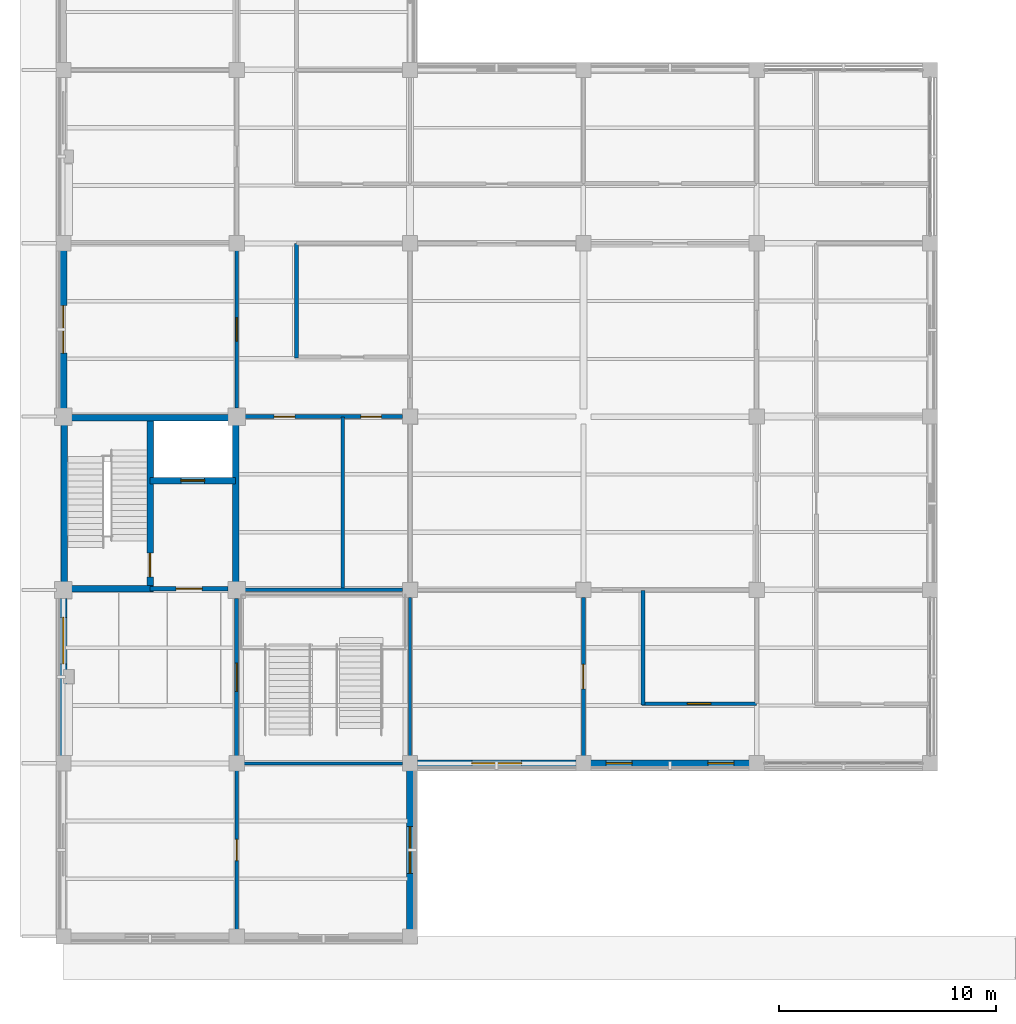
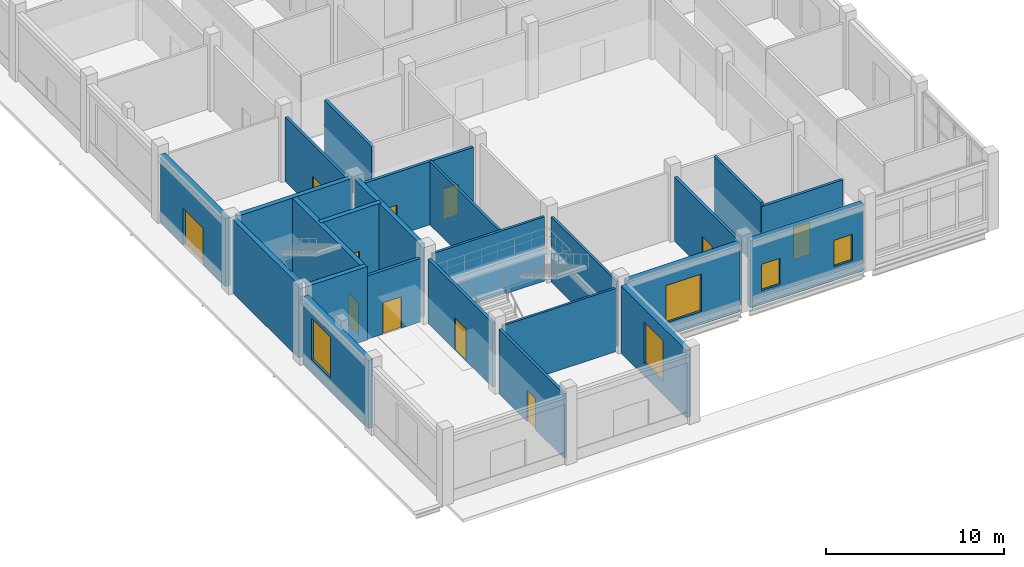
# One storey, part 59 of 105: 24 walls, 11 doors, 5 windows, 16 openings.
"""IFC4 building model written with IfcOpenShell, lengths in metres."""

from ifc_helpers import new_model, si_unit, derived_unit, direction, frame, frame_2d, origin, place, context, subcontext, project, spatial, rectangle, extrude, material, layer, layer_set, type_object, element, fill, save


model = new_model("IFC4")

# Units and contexts
model_context = context("Model", 3, precision=1e-05, world=origin(), true_north=direction((0.0, 1.0)))
body_context = subcontext(model_context, "Body", "Model", "MODEL_VIEW")
ifc_project = project(units=[si_unit("LENGTHUNIT", "METRE"), si_unit("AREAUNIT", "SQUARE_METRE"), si_unit("VOLUMEUNIT", "CUBIC_METRE"), si_unit("PLANEANGLEUNIT", "RADIAN"), si_unit("MASSUNIT", "GRAM", prefix="KILO"), derived_unit("THERMALTRANSMITTANCEUNIT", [(si_unit("MASSUNIT", "GRAM", prefix="KILO"), 1), (si_unit("TIMEUNIT", "SECOND"), -3), (si_unit("THERMODYNAMICTEMPERATUREUNIT", "KELVIN"), -1)])], contexts=[model_context])

# Site, building, storey
site_placement = place(None, origin())
site = spatial("IfcSite", under=ifc_project, at=site_placement, CompositionType="ELEMENT")
building_placement = place(site_placement, origin())
building = spatial("IfcBuilding", under=site, at=building_placement, Name="Veyamyaing Civic Hall", CompositionType="ELEMENT")
storey_placement = place(building_placement, origin())
storey = spatial("IfcBuildingStorey", under=building, at=storey_placement, Name="L00", CompositionType="ELEMENT", Elevation=0.0)

# Wall, opening, window
ifc_material_1 = material(Name="Precast concrete C40/50", Category="concrete")
ifc_layer_1 = layer(ifc_material_1, 0.320068359375, Name="Precast concrete C40/50")
ifc_layer_set_1 = layer_set([ifc_layer_1], Name="Precast concrete C40/50")
wall_type_1 = type_object("IfcWallType", Name="WT-02", PredefinedType="SOLIDWALL", material=ifc_layer_set_1)
wall_1_placement = place(storey_placement, frame((0.0, 8.3349609375, 0.0), z_axis=(0.0, 0.0, 1.0), x_axis=(0.0, 1.0, 0.0)))
wall_1 = element("IfcWall", 1, at=wall_1_placement, inside=storey, type_object=wall_type_1, Name="Exterior facade wall WT-02 L00 W 1.2", PredefinedType="SOLIDWALL", context=body_context, shape_type="SweptSolid", body=[
    extrude(rectangle(XDim=7.280029296875, YDim=0.320068359375, at=frame_2d((3.64013671875, 0.0))), origin(), (0.0, 0.0, 1.0), 4.674072265625),
])
opening_1_placement = place(wall_1_placement, frame((4.25, 0.0, 0.89990234375)))
opening_1 = element("IfcOpeningElement", 2, at=opening_1_placement, cuts=wall_1, Name="Opening W-02", PredefinedType="OPENING", context=body_context, shape_type="SweptSolid", body=[
    extrude(rectangle(XDim=2.14990234375, YDim=2.800048828125, at=frame_2d((1.074951171875, 1.39990234375))), frame((0.0, 0.169921875, 0.0), z_axis=(0.0, -1.0, 0.0), x_axis=(1.0, 0.0, 0.0)), (0.0, 0.0, 1.0), 0.340087890625),
])
ifc_material_2 = material(Name="Low-E insulated glass", Category="glass")
window_type_1 = type_object("IfcWindowType", Name="W-02", PartitioningType="SINGLE_PANEL", PredefinedType="WINDOW", material=ifc_material_2)
window_1_placement = place(opening_1_placement, origin())
window_1 = element("IfcWindow", 3, at=window_1_placement, inside=storey, type_object=window_type_1, Name="Facade window W-02 L00 W 1.2", OverallHeight=2.800048828125, OverallWidth=2.14990234375, PartitioningType="SINGLE_PANEL", PredefinedType="WINDOW", context=body_context, shape_type="SweptSolid", body=[
    extrude(rectangle(XDim=2.14990234375, YDim=2.800048828125, at=frame_2d((1.074951171875, 1.39990234375))), frame((0.0, 0.030029296875, 0.0), z_axis=(0.0, -1.0, 0.0), x_axis=(1.0, 0.0, 0.0)), (0.0, 0.0, 1.0), 0.06005859375),
])
fill(opening_1, window_1)

# Wall, opening, door
wall_2_placement = place(storey_placement, frame((0.0, 24.385009765625, 0.0), z_axis=(0.0, 0.0, 1.0), x_axis=(0.0, 1.0, 0.0)))
wall_2 = element("IfcWall", 4, at=wall_2_placement, inside=storey, type_object=wall_type_1, Name="Exterior facade wall WT-02 L00 W 1.4", PredefinedType="SOLIDWALL", context=body_context, shape_type="SweptSolid", body=[
    extrude(rectangle(XDim=7.280029296875, YDim=0.320068359375, at=frame_2d((3.64013671875, 0.0))), origin(), (0.0, 0.0, 1.0), 4.677001953125),
])
opening_2_placement = place(wall_2_placement, frame((2.5400390625, 0.0, 0.0)))
opening_2 = element("IfcOpeningElement", 5, at=opening_2_placement, cuts=wall_2, Name="Opening D-01", PredefinedType="OPENING", context=body_context, shape_type="SweptSolid", body=[
    extrude(rectangle(XDim=2.199951171875, YDim=2.5, at=frame_2d((1.10009765625, 1.25))), frame((0.0, 0.169921875, 0.0), z_axis=(0.0, -1.0, 0.0), x_axis=(1.0, 0.0, 0.0)), (0.0, 0.0, 1.0), 0.340087890625),
])
ifc_material_3 = material(Name="Anodised aluminium 6063-T6", Category="aluminium")
door_type_1 = type_object("IfcDoorType", Name="D-01", OperationType="DOUBLE_DOOR_SINGLE_SWING", PredefinedType="DOOR", material=ifc_material_3)
door_1_placement = place(opening_2_placement, origin())
door_1 = element("IfcDoor", 6, at=door_1_placement, inside=storey, type_object=door_type_1, Name="Main pedestrian final exit EX-02", OperationType="DOUBLE_DOOR_SINGLE_SWING", OverallHeight=2.5, OverallWidth=2.199951171875, PredefinedType="DOOR", context=body_context, shape_type="SweptSolid", body=[
    extrude(rectangle(XDim=2.199951171875, YDim=2.5, at=frame_2d((1.10009765625, 1.25))), frame((0.0, 0.02490234375, 0.0), z_axis=(0.0, -1.0, 0.0), x_axis=(1.0, 0.0, 0.0)), (0.0, 0.0, 1.0), 0.050048828125),
])
fill(opening_2, door_1)

# Wall, opening, window
wall_3_placement = place(storey_placement, frame((16.0, 0.3349609375, 0.0), z_axis=(0.0, 0.0, 1.0), x_axis=(0.0, 1.0, 0.0)))
wall_3 = element("IfcWall", 7, at=wall_3_placement, inside=storey, type_object=wall_type_1, Name="Exterior facade wall WT-02 L00 E 2.1", PredefinedType="SOLIDWALL", context=body_context, shape_type="SweptSolid", body=[
    extrude(rectangle(XDim=7.330078125, YDim=0.320068359375, at=frame_2d((3.6650390625, 0.0))), origin(), (0.0, 0.0, 1.0), 4.614013671875),
])
opening_3_placement = place(wall_3_placement, frame((2.590087890625, 0.0, 0.89990234375)))
opening_3 = element("IfcOpeningElement", 8, at=opening_3_placement, cuts=wall_3, Name="Opening W-02", PredefinedType="OPENING", context=body_context, shape_type="SweptSolid", body=[
    extrude(rectangle(XDim=2.14990234375, YDim=2.800048828125, at=frame_2d((1.074951171875, 1.39990234375))), frame((0.0, 0.169921875, 0.0), z_axis=(0.0, -1.0, 0.0), x_axis=(1.0, 0.0, 0.0)), (0.0, 0.0, 1.0), 0.340087890625),
])
window_2_placement = place(opening_3_placement, origin())
window_2 = element("IfcWindow", 9, at=window_2_placement, inside=storey, type_object=window_type_1, Name="Facade window W-02 L00 E 2.1", OverallHeight=2.800048828125, OverallWidth=2.14990234375, PartitioningType="SINGLE_PANEL", PredefinedType="WINDOW", context=body_context, shape_type="SweptSolid", body=[
    extrude(rectangle(XDim=2.14990234375, YDim=2.800048828125, at=frame_2d((1.074951171875, 1.39990234375))), frame((0.0, 0.030029296875, 0.0), z_axis=(0.0, -1.0, 0.0), x_axis=(1.0, 0.0, 0.0)), (0.0, 0.0, 1.0), 0.06005859375),
])
fill(opening_3, window_2)

wall_4_placement = place(storey_placement, frame((16.3349609375, 8.0, 0.0), z_axis=(0.0, 0.0, 1.0), x_axis=(1.0, 0.0, 0.0)))
wall_4 = element("IfcWall", 10, at=wall_4_placement, inside=storey, type_object=wall_type_1, Name="Exterior facade wall WT-02 L00 S 3.2", PredefinedType="SOLIDWALL", context=body_context, shape_type="SweptSolid", body=[
    extrude(rectangle(XDim=7.330078125, YDim=0.320068359375, at=frame_2d((3.6650390625, 0.0))), origin(), (0.0, 0.0, 1.0), 4.677001953125),
])
opening_4_placement = place(wall_4_placement, frame((2.514892578125, 0.0, 0.89990234375)))
opening_4 = element("IfcOpeningElement", 11, at=opening_4_placement, cuts=wall_4, Name="Opening W-25", PredefinedType="OPENING", context=body_context, shape_type="SweptSolid", body=[
    extrude(rectangle(XDim=2.300048828125, YDim=2.550048828125, at=frame_2d((1.14990234375, 1.27490234375))), frame((0.0, 0.169921875, 0.0), z_axis=(0.0, -1.0, 0.0), x_axis=(1.0, 0.0, 0.0)), (0.0, 0.0, 1.0), 0.340087890625),
])
window_type_2 = type_object("IfcWindowType", Name="W-25", PartitioningType="SINGLE_PANEL", PredefinedType="WINDOW", material=ifc_material_2)
window_3_placement = place(opening_4_placement, origin())
window_3 = element("IfcWindow", 12, at=window_3_placement, inside=storey, type_object=window_type_2, Name="Facade window W-25 L00 S 3.2", OverallHeight=2.550048828125, OverallWidth=2.300048828125, PartitioningType="SINGLE_PANEL", PredefinedType="WINDOW", context=body_context, shape_type="SweptSolid", body=[
    extrude(rectangle(XDim=2.300048828125, YDim=2.550048828125, at=frame_2d((1.14990234375, 1.27490234375))), frame((0.0, 0.030029296875, 0.0), z_axis=(0.0, -1.0, 0.0), x_axis=(1.0, 0.0, 0.0)), (0.0, 0.0, 1.0), 0.06005859375),
])
fill(opening_4, window_3)

# Wall, openings, windows
wall_5_placement = place(storey_placement, frame((24.3349609375, 8.0, 0.0), z_axis=(0.0, 0.0, 1.0), x_axis=(1.0, 0.0, 0.0)))
wall_5 = element("IfcWall", 13, at=wall_5_placement, inside=storey, type_object=wall_type_1, Name="Exterior facade wall WT-02 L00 S 4.2", PredefinedType="SOLIDWALL", context=body_context, shape_type="SweptSolid", body=[
    extrude(rectangle(XDim=7.330078125, YDim=0.320068359375, at=frame_2d((3.6650390625, 0.0))), origin(), (0.0, 0.0, 1.0), 4.610107421875),
])
opening_5_placement = place(wall_5_placement, frame((0.719482421875, 0.0, 0.949951171875)))
opening_5 = element("IfcOpeningElement", 14, at=opening_5_placement, cuts=wall_5, Name="Opening W-14", PredefinedType="OPENING", context=body_context, shape_type="SweptSolid", body=[
    extrude(rectangle(XDim=1.199951171875, YDim=1.800048828125, at=frame_2d((0.60009765625, 0.89990234375))), frame((0.0, 0.169921875, 0.0), z_axis=(0.0, -1.0, 0.0), x_axis=(1.0, 0.0, 0.0)), (0.0, 0.0, 1.0), 0.340087890625),
])
opening_6_placement = place(wall_5_placement, frame((5.41064453125, 0.0, 0.949951171875)))
opening_6 = element("IfcOpeningElement", 15, at=opening_6_placement, cuts=wall_5, Name="Opening W-14", PredefinedType="OPENING", context=body_context, shape_type="SweptSolid", body=[
    extrude(rectangle(XDim=1.199951171875, YDim=1.800048828125, at=frame_2d((0.60009765625, 0.89990234375))), frame((0.0, 0.169921875, 0.0), z_axis=(0.0, -1.0, 0.0), x_axis=(1.0, 0.0, 0.0)), (0.0, 0.0, 1.0), 0.340087890625),
])
window_type_3 = type_object("IfcWindowType", Name="W-14", PartitioningType="SINGLE_PANEL", PredefinedType="WINDOW", material=ifc_material_2)
window_4_placement = place(opening_5_placement, origin())
window_4 = element("IfcWindow", 16, at=window_4_placement, inside=storey, type_object=window_type_3, Name="Facade window W-14 L00 S 4.2.1", OverallHeight=1.800048828125, OverallWidth=1.199951171875, PartitioningType="SINGLE_PANEL", PredefinedType="WINDOW", context=body_context, shape_type="SweptSolid", body=[
    extrude(rectangle(XDim=1.199951171875, YDim=1.800048828125, at=frame_2d((0.60009765625, 0.89990234375))), frame((0.0, 0.030029296875, 0.0), z_axis=(0.0, -1.0, 0.0), x_axis=(1.0, 0.0, 0.0)), (0.0, 0.0, 1.0), 0.06005859375),
])
fill(opening_5, window_4)
window_5_placement = place(opening_6_placement, origin())
window_5 = element("IfcWindow", 17, at=window_5_placement, inside=storey, type_object=window_type_3, Name="Facade window W-14 L00 S 4.2.2", OverallHeight=1.800048828125, OverallWidth=1.199951171875, PartitioningType="SINGLE_PANEL", PredefinedType="WINDOW", context=body_context, shape_type="SweptSolid", body=[
    extrude(rectangle(XDim=1.199951171875, YDim=1.800048828125, at=frame_2d((0.60009765625, 0.89990234375))), frame((0.0, 0.030029296875, 0.0), z_axis=(0.0, -1.0, 0.0), x_axis=(1.0, 0.0, 0.0)), (0.0, 0.0, 1.0), 0.06005859375),
])
fill(opening_6, window_5)

# Walls
ifc_material_4 = material(Name="Concrete C40/50", Category="concrete")
ifc_layer_2 = layer(ifc_material_4, 0.300048828125, Name="Concrete C40/50")
ifc_layer_set_2 = layer_set([ifc_layer_2], Name="Concrete C40/50")
wall_type_2 = type_object("IfcWallType", Name="WT-05", PredefinedType="SHEAR", material=ifc_layer_set_2)
for number, where, z_axis, x_axis, name in (
    (18, (0.050048828125, 16.2900390625, 0.0), (0.0, 0.0, 1.0), (0.0, 1.0, 0.0), "Core shear wall WT-05 CORE-7 L00.W"),
    (19, (0.2900390625, 23.949951171875, 0.0), (0.0, 0.0, 1.0), (1.0, 0.0, 0.0), "Core shear wall WT-05 CORE-7 L00.N"),
    (20, (7.949951171875, 16.2900390625, 0.0), (0.0, 0.0, 1.0), (0.0, 1.0, 0.0), "Core shear wall WT-05 CORE-7 L00.E"),
):
    element("IfcWall", number, at=place(storey_placement, frame(where, z_axis=z_axis, x_axis=x_axis)), inside=storey, type_object=wall_type_2, Name=name, PredefinedType="SHEAR", context=body_context, shape_type="SweptSolid", body=[
        extrude(rectangle(XDim=7.419921875, YDim=0.300048828125, at=frame_2d((3.7099609375, 0.0))), origin(), (0.0, 0.0, 1.0), 5.034912109375),
    ])
wall_6_placement = place(storey_placement, frame((0.2900390625, 16.050048828125, 0.0), z_axis=(0.0, 0.0, 1.0), x_axis=(1.0, 0.0, 0.0)))
element("IfcWall", 21, at=wall_6_placement, inside=storey, type_object=wall_type_2, Name="Core shear wall WT-05 CORE-7 L00.SS", PredefinedType="SHEAR", context=body_context, shape_type="SweptSolid", body=[
    extrude(rectangle(XDim=3.85986328125, YDim=0.300048828125, at=frame_2d((1.929931640625, 0.0))), origin(), (0.0, 0.0, 1.0), 5.034912109375),
])

# Wall, opening, door
wall_7_placement = place(storey_placement, frame((4.0, 16.050048828125, 0.0), z_axis=(0.0, 0.0, 1.0), x_axis=(0.0, 1.0, 0.0)))
wall_7 = element("IfcWall", 22, at=wall_7_placement, inside=storey, type_object=wall_type_2, Name="Core shear wall WT-05 CORE-7 L00.MID", PredefinedType="SHEAR", context=body_context, shape_type="SweptSolid", body=[
    extrude(rectangle(XDim=7.89990234375, YDim=0.300048828125, at=frame_2d((3.949951171875, 0.0))), origin(), (0.0, 0.0, 1.0), 5.034912109375),
])
opening_7_placement = place(wall_7_placement, frame((0.550048828125, 0.0, 0.0)))
opening_7 = element("IfcOpeningElement", 23, at=opening_7_placement, cuts=wall_7, Name="Opening D-03", PredefinedType="OPENING", context=body_context, shape_type="SweptSolid", body=[
    extrude(rectangle(XDim=1.10009765625, YDim=2.14990234375, at=frame_2d((0.550048828125, 1.074951171875))), frame((0.0, 0.159912109375, 0.0), z_axis=(0.0, -1.0, 0.0), x_axis=(1.0, 0.0, 0.0)), (0.0, 0.0, 1.0), 0.320068359375),
])
ifc_material_5 = material(Name="Galvanized steel S355J2", Category="steel")
door_type_2 = type_object("IfcDoorType", Name="D-03", OperationType="NOTDEFINED", PredefinedType="DOOR", material=ifc_material_5)
door_2_placement = place(opening_7_placement, frame((1.10009765625, 0.0, 0.0), z_axis=(0.0, 0.0, 1.0), x_axis=(-1.0, 0.0, 0.0)))
door_2 = element("IfcDoor", 24, at=door_2_placement, inside=storey, type_object=door_type_2, Name="Exit stair fire door D-03 ST-09 L00", OperationType="SINGLE_SWING_RIGHT", OverallHeight=2.14990234375, OverallWidth=1.10009765625, PredefinedType="DOOR", context=body_context, shape_type="SweptSolid", body=[
    extrude(rectangle(XDim=1.10009765625, YDim=2.14990234375, at=frame_2d((0.550048828125, 1.074951171875))), frame((0.0, 0.02490234375, 0.0), z_axis=(0.0, -1.0, 0.0), x_axis=(1.0, 0.0, 0.0)), (0.0, 0.0, 1.0), 0.050048828125),
])
fill(opening_7, door_2)

wall_8_placement = place(storey_placement, frame((4.0, 21.050048828125, 0.0), z_axis=(0.0, 0.0, 1.0), x_axis=(1.0, 0.0, 0.0)))
wall_8 = element("IfcWall", 25, at=wall_8_placement, inside=storey, type_object=wall_type_2, Name="Core shear wall WT-05 CORE-7 L00.LFT", PredefinedType="SHEAR", context=body_context, shape_type="SweptSolid", body=[
    extrude(rectangle(XDim=3.949951171875, YDim=0.300048828125, at=frame_2d((1.97509765625, 0.0))), origin(), (0.0, 0.0, 1.0), 5.034912109375),
])
opening_8_placement = place(wall_8_placement, frame((1.425048828125, 0.0, 0.0)))
opening_8 = element("IfcOpeningElement", 26, at=opening_8_placement, cuts=wall_8, Name="Opening LD-01", PredefinedType="OPENING", context=body_context, shape_type="SweptSolid", body=[
    extrude(rectangle(XDim=1.10009765625, YDim=2.199951171875, at=frame_2d((0.550048828125, 1.10009765625))), frame((0.0, 0.159912109375, 0.0), z_axis=(0.0, -1.0, 0.0), x_axis=(1.0, 0.0, 0.0)), (0.0, 0.0, 1.0), 0.320068359375),
])
door_type_3 = type_object("IfcDoorType", Name="LD-01", OperationType="SLIDING_TO_LEFT", PredefinedType="DOOR", material=ifc_material_3)
door_3_placement = place(opening_8_placement, origin())
door_3 = element("IfcDoor", 27, at=door_3_placement, inside=storey, type_object=door_type_3, Name="Lift sliding landing door LD-01 PL-05 L00", OperationType="SLIDING_TO_LEFT", OverallHeight=2.199951171875, OverallWidth=1.10009765625, PredefinedType="DOOR", context=body_context, shape_type="SweptSolid", body=[
    extrude(rectangle(XDim=1.10009765625, YDim=2.199951171875, at=frame_2d((0.550048828125, 1.10009765625))), frame((0.0, 0.02490234375, 0.0), z_axis=(0.0, -1.0, 0.0), x_axis=(1.0, 0.0, 0.0)), (0.0, 0.0, 1.0), 0.050048828125),
])
fill(opening_8, door_3)

ifc_layer_3 = layer(ifc_material_4, 0.199951171875, Name="Concrete C40/50")
ifc_layer_set_3 = layer_set([ifc_layer_3], Name="Concrete C40/50")
wall_type_3 = type_object("IfcWallType", Name="WT-06", PredefinedType="PARTITIONING", material=ifc_layer_set_3)
wall_9_placement = place(storey_placement, frame((4.0, 16.050048828125, 0.0), z_axis=(0.0, 0.0, 1.0), x_axis=(1.0, 0.0, 0.0)))
wall_9 = element("IfcWall", 28, at=wall_9_placement, inside=storey, type_object=wall_type_3, Name="Firefighting lift lobby wall WT-06 CORE-7 L00", PredefinedType="PARTITIONING", context=body_context, shape_type="SweptSolid", body=[
    extrude(rectangle(XDim=3.610107421875, YDim=0.199951171875, at=frame_2d((1.80517578125, 0.0))), origin(), (0.0, 0.0, 1.0), 4.3359375),
])
opening_9_placement = place(wall_9_placement, frame((1.205078125, 0.0, 0.0)))
opening_9 = element("IfcOpeningElement", 29, at=opening_9_placement, cuts=wall_9, Name="Opening D-04", PredefinedType="OPENING", context=body_context, shape_type="SweptSolid", body=[
    extrude(rectangle(XDim=1.199951171875, YDim=2.14990234375, at=frame_2d((0.60009765625, 1.074951171875))), frame((0.0, 0.10986328125, 0.0), z_axis=(0.0, -1.0, 0.0), x_axis=(1.0, 0.0, 0.0)), (0.0, 0.0, 1.0), 0.219970703125),
])
door_type_4 = type_object("IfcDoorType", Name="D-04", OperationType="NOTDEFINED", PredefinedType="DOOR", material=ifc_material_5)
door_4_placement = place(opening_9_placement, frame((1.199951171875, 0.0, 0.0), z_axis=(0.0, 0.0, 1.0), x_axis=(-1.0, 0.0, 0.0)))
door_4 = element("IfcDoor", 30, at=door_4_placement, inside=storey, type_object=door_type_4, Name="Protected lobby fire door D-04 CORE-7 L00", OperationType="SINGLE_SWING_LEFT", OverallHeight=2.14990234375, OverallWidth=1.199951171875, PredefinedType="DOOR", context=body_context, shape_type="SweptSolid", body=[
    extrude(rectangle(XDim=1.199951171875, YDim=2.14990234375, at=frame_2d((0.60009765625, 1.074951171875))), frame((0.0, 0.02490234375, 0.0), z_axis=(0.0, -1.0, 0.0), x_axis=(1.0, 0.0, 0.0)), (0.0, 0.0, 1.0), 0.050048828125),
])
fill(opening_9, door_4)

ifc_material_6 = material(Name="Gypsum board on acoustic steel stud", Category="steel")
ifc_layer_4 = layer(ifc_material_6, 0.175048828125, Name="Gypsum board on acoustic steel stud")
ifc_layer_set_4 = layer_set([ifc_layer_4], Name="Gypsum board on acoustic steel stud")
wall_type_4 = type_object("IfcWallType", Name="WT-07", PredefinedType="PARTITIONING", material=ifc_layer_set_4)
wall_10_placement = place(storey_placement, frame((26.699951171875, 10.75, 0.0), z_axis=(0.0, 0.0, 1.0), x_axis=(1.0, 0.0, 0.0)))
wall_10 = element("IfcWall", 31, at=wall_10_placement, inside=storey, type_object=wall_type_4, Name="Corridor gallery partition WT-07 L00.13.1", PredefinedType="PARTITIONING", context=body_context, shape_type="SweptSolid", body=[
    extrude(rectangle(XDim=5.280029296875, YDim=0.175048828125, at=frame_2d((2.64013671875, 0.0))), origin(), (0.0, 0.0, 1.0), 4.412109375),
])
opening_10_placement = place(wall_10_placement, frame((2.10009765625, 0.0, 0.0)))
opening_10 = element("IfcOpeningElement", 32, at=opening_10_placement, cuts=wall_10, Name="Opening D-23", PredefinedType="OPENING", context=body_context, shape_type="SweptSolid", body=[
    extrude(rectangle(XDim=1.080078125, YDim=2.199951171875, at=frame_2d((0.5400390625, 1.10009765625))), frame((0.0, 0.097412109375, 0.0), z_axis=(0.0, -1.0, 0.0), x_axis=(1.0, 0.0, 0.0)), (0.0, 0.0, 1.0), 0.195068359375),
])
ifc_material_7 = material(Name="Teak-veneered acoustic timber", Category="wood")
door_type_5 = type_object("IfcDoorType", Name="D-23", OperationType="NOTDEFINED", PredefinedType="DOOR", material=ifc_material_7)
door_5_placement = place(opening_10_placement, origin())
door_5 = element("IfcDoor", 33, at=door_5_placement, inside=storey, type_object=door_type_5, Name="Gallery office door D-23 L00.13", OperationType="SINGLE_SWING_RIGHT", OverallHeight=2.199951171875, OverallWidth=1.080078125, PredefinedType="DOOR", context=body_context, shape_type="SweptSolid", body=[
    extrude(rectangle(XDim=1.080078125, YDim=2.199951171875, at=frame_2d((0.5400390625, 1.10009765625))), frame((0.0, 0.02490234375, 0.0), z_axis=(0.0, -1.0, 0.0), x_axis=(1.0, 0.0, 0.0)), (0.0, 0.0, 1.0), 0.050048828125),
])
fill(opening_10, door_5)

# Wall
wall_11_placement = place(storey_placement, frame((26.75, 10.699951171875, 0.0), z_axis=(0.0, 0.0, 1.0), x_axis=(0.0, 1.0, 0.0)))
element("IfcWall", 34, at=wall_11_placement, inside=storey, type_object=wall_type_4, Name="Corridor gallery partition WT-07 L00.13.2", PredefinedType="PARTITIONING", context=body_context, shape_type="SweptSolid", body=[
    extrude(rectangle(XDim=5.280029296875, YDim=0.175048828125, at=frame_2d((2.64013671875, 0.0))), origin(), (0.0, 0.0, 1.0), 4.6669921875),
])

# Wall, opening, door
wall_12_placement = place(storey_placement, frame((8.0, 0.340087890625, 0.0), z_axis=(0.0, 0.0, 1.0), x_axis=(0.0, 1.0, 0.0)))
wall_12 = element("IfcWall", 35, at=wall_12_placement, inside=storey, type_object=wall_type_4, Name="Interior partition wall WT-07 L00.1", PredefinedType="PARTITIONING", context=body_context, shape_type="SweptSolid", body=[
    extrude(rectangle(XDim=7.31982421875, YDim=0.175048828125, at=frame_2d((3.659912109375, 0.0))), origin(), (0.0, 0.0, 1.0), 4.412109375),
])
opening_11_placement = place(wall_12_placement, frame((3.169921875, 0.0, 0.0)))
opening_11 = element("IfcOpeningElement", 36, at=opening_11_placement, cuts=wall_12, Name="Opening D-14", PredefinedType="OPENING", context=body_context, shape_type="SweptSolid", body=[
    extrude(rectangle(XDim=0.97998046875, YDim=2.14990234375, at=frame_2d((0.489990234375, 1.074951171875))), frame((0.0, 0.097412109375, 0.0), z_axis=(0.0, -1.0, 0.0), x_axis=(1.0, 0.0, 0.0)), (0.0, 0.0, 1.0), 0.195068359375),
])
door_type_6 = type_object("IfcDoorType", Name="D-14", OperationType="NOTDEFINED", PredefinedType="DOOR", material=ifc_material_7)
door_6_placement = place(opening_11_placement, frame((0.97998046875, 0.0, 0.0), z_axis=(0.0, 0.0, 1.0), x_axis=(-1.0, 0.0, 0.0)))
door_6 = element("IfcDoor", 37, at=door_6_placement, inside=storey, type_object=door_type_6, Name="Interior door D-14 L00.1", OperationType="SINGLE_SWING_RIGHT", OverallHeight=2.14990234375, OverallWidth=0.97998046875, PredefinedType="DOOR", context=body_context, shape_type="SweptSolid", body=[
    extrude(rectangle(XDim=0.97998046875, YDim=2.14990234375, at=frame_2d((0.489990234375, 1.074951171875))), frame((0.0, 0.02490234375, 0.0), z_axis=(0.0, -1.0, 0.0), x_axis=(1.0, 0.0, 0.0)), (0.0, 0.0, 1.0), 0.050048828125),
])
fill(opening_11, door_6)

wall_13_placement = place(storey_placement, frame((8.0, 24.389892578125, 0.0), z_axis=(0.0, 0.0, 1.0), x_axis=(0.0, 1.0, 0.0)))
wall_13 = element("IfcWall", 38, at=wall_13_placement, inside=storey, type_object=wall_type_4, Name="Interior partition wall WT-07 L00.3", PredefinedType="PARTITIONING", context=body_context, shape_type="SweptSolid", body=[
    extrude(rectangle(XDim=7.27001953125, YDim=0.175048828125, at=frame_2d((3.635009765625, 0.0))), origin(), (0.0, 0.0, 1.0), 4.403076171875),
])
opening_12_placement = place(wall_13_placement, frame((3.094970703125, 0.0, 0.0)))
opening_12 = element("IfcOpeningElement", 39, at=opening_12_placement, cuts=wall_13, Name="Opening D-23", PredefinedType="OPENING", context=body_context, shape_type="SweptSolid", body=[
    extrude(rectangle(XDim=1.080078125, YDim=2.199951171875, at=frame_2d((0.5400390625, 1.10009765625))), frame((0.0, 0.097412109375, 0.0), z_axis=(0.0, -1.0, 0.0), x_axis=(1.0, 0.0, 0.0)), (0.0, 0.0, 1.0), 0.195068359375),
])
door_7_placement = place(opening_12_placement, origin())
door_7 = element("IfcDoor", 40, at=door_7_placement, inside=storey, type_object=door_type_5, Name="Interior door D-23 L00.3", OperationType="SINGLE_SWING_LEFT", OverallHeight=2.199951171875, OverallWidth=1.080078125, PredefinedType="DOOR", context=body_context, shape_type="SweptSolid", body=[
    extrude(rectangle(XDim=1.080078125, YDim=2.199951171875, at=frame_2d((0.5400390625, 1.10009765625))), frame((0.0, 0.02490234375, 0.0), z_axis=(0.0, -1.0, 0.0), x_axis=(1.0, 0.0, 0.0)), (0.0, 0.0, 1.0), 0.050048828125),
])
fill(opening_12, door_7)

# Walls
ifc_material_8 = material(Name="Gypsum board on steel stud", Category="steel")
ifc_layer_5 = layer(ifc_material_8, 0.14990234375, Name="Gypsum board on steel stud")
ifc_layer_set_5 = layer_set([ifc_layer_5], Name="Gypsum board on steel stud")
wall_type_5 = type_object("IfcWallType", Name="WT-08", PredefinedType="PARTITIONING", material=ifc_layer_set_5)
wall_14_placement = place(storey_placement, frame((16.0, 8.340087890625, 0.0), z_axis=(0.0, 0.0, 1.0), x_axis=(0.0, 1.0, 0.0)))
element("IfcWall", 41, at=wall_14_placement, inside=storey, type_object=wall_type_5, Name="Interior partition wall WT-08 L00.19", PredefinedType="PARTITIONING", context=body_context, shape_type="SweptSolid", body=[
    extrude(rectangle(XDim=7.31982421875, YDim=0.14990234375, at=frame_2d((3.659912109375, 0.0))), origin(), (0.0, 0.0, 1.0), 4.470947265625),
])
ifc_material_9 = material(Name="Cement-board wet-area partition")
ifc_layer_6 = layer(ifc_material_9, 0.159912109375, Name="Cement-board wet-area partition")
ifc_layer_set_6 = layer_set([ifc_layer_6], Name="Cement-board wet-area partition")
wall_type_6 = type_object("IfcWallType", Name="WT-14", PredefinedType="PARTITIONING", material=ifc_layer_set_6)
wall_15_placement = place(storey_placement, frame((8.389892578125, 16.0, 0.0), z_axis=(0.0, 0.0, 1.0), x_axis=(1.0, 0.0, 0.0)))
element("IfcWall", 42, at=wall_15_placement, inside=storey, type_object=wall_type_6, Name="Interior partition wall WT-14 L00.20", PredefinedType="PARTITIONING", context=body_context, shape_type="SweptSolid", body=[
    extrude(rectangle(XDim=7.27001953125, YDim=0.159912109375, at=frame_2d((3.635009765625, 0.0))), origin(), (0.0, 0.0, 1.0), 4.404052734375),
])
wall_16_placement = place(storey_placement, frame((12.89990234375, 16.02001953125, 0.0), z_axis=(0.0, 0.0, 1.0), x_axis=(0.0, 1.0, 0.0)))
element("IfcWall", 43, at=wall_16_placement, inside=storey, type_object=wall_type_6, Name="Sub-bay room partition WT-14 L00.1", PredefinedType="PARTITIONING", context=body_context, shape_type="SweptSolid", body=[
    extrude(rectangle(XDim=7.9599609375, YDim=0.159912109375, at=frame_2d((3.97998046875, 0.0))), origin(), (0.0, 0.0, 1.0), 4.326904296875),
])
ifc_material_10 = material(Name="Gypsum board on double acoustic stud")
ifc_layer_7 = layer(ifc_material_10, 0.18505859375, Name="Gypsum board on double acoustic stud")
ifc_layer_set_7 = layer_set([ifc_layer_7], Name="Gypsum board on double acoustic stud")
wall_type_7 = type_object("IfcWallType", Name="WT-19", PredefinedType="PARTITIONING", material=ifc_layer_set_7)
wall_17_placement = place(storey_placement, frame((10.75, 26.699951171875, 0.0), z_axis=(0.0, 0.0, 1.0), x_axis=(0.0, 1.0, 0.0)))
element("IfcWall", 44, at=wall_17_placement, inside=storey, type_object=wall_type_7, Name="Corridor gallery partition WT-19 L00.4.2", PredefinedType="PARTITIONING", context=body_context, shape_type="SweptSolid", body=[
    extrude(rectangle(XDim=5.280029296875, YDim=0.18505859375, at=frame_2d((2.64013671875, 0.0))), origin(), (0.0, 0.0, 1.0), 4.403076171875),
])

# Wall, opening, door
wall_18_placement = place(storey_placement, frame((8.0, 8.340087890625, 0.0), z_axis=(0.0, 0.0, 1.0), x_axis=(0.0, 1.0, 0.0)))
wall_18 = element("IfcWall", 45, at=wall_18_placement, inside=storey, type_object=wall_type_7, Name="Interior partition wall WT-19 L00.2", PredefinedType="PARTITIONING", context=body_context, shape_type="SweptSolid", body=[
    extrude(rectangle(XDim=7.27001953125, YDim=0.18505859375, at=frame_2d((3.635009765625, 0.0))), origin(), (0.0, 0.0, 1.0), 4.404052734375),
])
opening_13_placement = place(wall_18_placement, frame((2.985107421875, 0.0, 0.0)))
opening_13 = element("IfcOpeningElement", 46, at=opening_13_placement, cuts=wall_18, Name="Opening D-18", PredefinedType="OPENING", context=body_context, shape_type="SweptSolid", body=[
    extrude(rectangle(XDim=1.300048828125, YDim=2.199951171875, at=frame_2d((0.64990234375, 1.10009765625))), frame((0.0, 0.1025390625, 0.0), z_axis=(0.0, -1.0, 0.0), x_axis=(1.0, 0.0, 0.0)), (0.0, 0.0, 1.0), 0.205078125),
])
door_type_7 = type_object("IfcDoorType", Name="D-18", OperationType="DOUBLE_DOOR_SINGLE_SWING", PredefinedType="DOOR", material=ifc_material_3)
door_8_placement = place(opening_13_placement, frame((1.300048828125, 0.0, 0.0), z_axis=(0.0, 0.0, 1.0), x_axis=(-1.0, 0.0, 0.0)))
door_8 = element("IfcDoor", 47, at=door_8_placement, inside=storey, type_object=door_type_7, Name="Interior door D-18 L00.2", OperationType="DOUBLE_DOOR_SINGLE_SWING", OverallHeight=2.199951171875, OverallWidth=1.300048828125, PredefinedType="DOOR", context=body_context, shape_type="SweptSolid", body=[
    extrude(rectangle(XDim=1.300048828125, YDim=2.199951171875, at=frame_2d((0.64990234375, 1.10009765625))), frame((0.0, 0.02490234375, 0.0), z_axis=(0.0, -1.0, 0.0), x_axis=(1.0, 0.0, 0.0)), (0.0, 0.0, 1.0), 0.050048828125),
])
fill(opening_13, door_8)

# Wall, openings, doors
wall_19_placement = place(storey_placement, frame((8.389892578125, 24.0, 0.0), z_axis=(0.0, 0.0, 1.0), x_axis=(1.0, 0.0, 0.0)))
wall_19 = element("IfcWall", 48, at=wall_19_placement, inside=storey, type_object=wall_type_7, Name="Interior partition wall WT-19 L00.22", PredefinedType="PARTITIONING", context=body_context, shape_type="SweptSolid", body=[
    extrude(rectangle(XDim=7.27001953125, YDim=0.18505859375, at=frame_2d((3.635009765625, 0.0))), origin(), (0.0, 0.0, 1.0), 4.326904296875),
])
opening_14_placement = place(wall_19_placement, frame((1.342529296875, 0.0, 0.0)))
opening_14 = element("IfcOpeningElement", 49, at=opening_14_placement, cuts=wall_19, Name="Opening D-15", PredefinedType="OPENING", context=body_context, shape_type="SweptSolid", body=[
    extrude(rectangle(XDim=0.949951171875, YDim=2.10009765625, at=frame_2d((0.47509765625, 1.050048828125))), frame((0.0, 0.1025390625, 0.0), z_axis=(0.0, -1.0, 0.0), x_axis=(1.0, 0.0, 0.0)), (0.0, 0.0, 1.0), 0.205078125),
])
opening_15_placement = place(wall_19_placement, frame((5.341064453125, 0.0, 0.0)))
opening_15 = element("IfcOpeningElement", 50, at=opening_15_placement, cuts=wall_19, Name="Opening D-15", PredefinedType="OPENING", context=body_context, shape_type="SweptSolid", body=[
    extrude(rectangle(XDim=0.949951171875, YDim=2.10009765625, at=frame_2d((0.47509765625, 1.050048828125))), frame((0.0, 0.1025390625, 0.0), z_axis=(0.0, -1.0, 0.0), x_axis=(1.0, 0.0, 0.0)), (0.0, 0.0, 1.0), 0.205078125),
])
door_type_8 = type_object("IfcDoorType", Name="D-15", OperationType="NOTDEFINED", PredefinedType="DOOR", material=ifc_material_7)
door_9_placement = place(opening_14_placement, frame((0.949951171875, 0.0, 0.0), z_axis=(0.0, 0.0, 1.0), x_axis=(-1.0, 0.0, 0.0)))
door_9 = element("IfcDoor", 51, at=door_9_placement, inside=storey, type_object=door_type_8, Name="Interior room door D-15 L00.22.1", OperationType="SINGLE_SWING_LEFT", OverallHeight=2.10009765625, OverallWidth=0.949951171875, PredefinedType="DOOR", context=body_context, shape_type="SweptSolid", body=[
    extrude(rectangle(XDim=0.949951171875, YDim=2.10009765625, at=frame_2d((0.47509765625, 1.050048828125))), frame((0.0, 0.02490234375, 0.0), z_axis=(0.0, -1.0, 0.0), x_axis=(1.0, 0.0, 0.0)), (0.0, 0.0, 1.0), 0.050048828125),
])
fill(opening_14, door_9)
door_10_placement = place(opening_15_placement, frame((0.949951171875, 0.0, 0.0), z_axis=(0.0, 0.0, 1.0), x_axis=(-1.0, 0.0, 0.0)))
door_10 = element("IfcDoor", 52, at=door_10_placement, inside=storey, type_object=door_type_8, Name="Interior room door D-15 L00.22.2", OperationType="SINGLE_SWING_RIGHT", OverallHeight=2.10009765625, OverallWidth=0.949951171875, PredefinedType="DOOR", context=body_context, shape_type="SweptSolid", body=[
    extrude(rectangle(XDim=0.949951171875, YDim=2.10009765625, at=frame_2d((0.47509765625, 1.050048828125))), frame((0.0, 0.02490234375, 0.0), z_axis=(0.0, -1.0, 0.0), x_axis=(1.0, 0.0, 0.0)), (0.0, 0.0, 1.0), 0.050048828125),
])
fill(opening_15, door_10)

# Wall, opening, door
wall_20_placement = place(storey_placement, frame((24.0, 8.340087890625, 0.0), z_axis=(0.0, 0.0, 1.0), x_axis=(0.0, 1.0, 0.0)))
wall_20 = element("IfcWall", 53, at=wall_20_placement, inside=storey, type_object=wall_type_7, Name="Interior partition wall WT-19 L00.26", PredefinedType="PARTITIONING", context=body_context, shape_type="SweptSolid", body=[
    extrude(rectangle(XDim=7.31982421875, YDim=0.18505859375, at=frame_2d((3.659912109375, 0.0))), origin(), (0.0, 0.0, 1.0), 4.403076171875),
])
opening_16_placement = place(wall_20_placement, frame((3.10009765625, 0.0, 0.0)))
opening_16 = element("IfcOpeningElement", 54, at=opening_16_placement, cuts=wall_20, Name="Opening D-26", PredefinedType="OPENING", context=body_context, shape_type="SweptSolid", body=[
    extrude(rectangle(XDim=1.1201171875, YDim=2.219970703125, at=frame_2d((0.56005859375, 1.10986328125))), frame((0.0, 0.1025390625, 0.0), z_axis=(0.0, -1.0, 0.0), x_axis=(1.0, 0.0, 0.0)), (0.0, 0.0, 1.0), 0.205078125),
])
door_type_9 = type_object("IfcDoorType", Name="D-26", OperationType="NOTDEFINED", PredefinedType="DOOR", material=ifc_material_7)
door_11_placement = place(opening_16_placement, origin())
door_11 = element("IfcDoor", 55, at=door_11_placement, inside=storey, type_object=door_type_9, Name="Interior door D-26 L00.26", OperationType="SINGLE_SWING_RIGHT", OverallHeight=2.219970703125, OverallWidth=1.1201171875, PredefinedType="DOOR", context=body_context, shape_type="SweptSolid", body=[
    extrude(rectangle(XDim=1.1201171875, YDim=2.219970703125, at=frame_2d((0.56005859375, 1.10986328125))), frame((0.0, 0.02490234375, 0.0), z_axis=(0.0, -1.0, 0.0), x_axis=(1.0, 0.0, 0.0)), (0.0, 0.0, 1.0), 0.050048828125),
])
fill(opening_16, door_11)

# Wall
ifc_layer_8 = layer(ifc_material_8, 0.14208984375, Name="Gypsum board on steel stud")
ifc_layer_set_8 = layer_set([ifc_layer_8], Name="Gypsum board on steel stud")
wall_type_8 = type_object("IfcWallType", Name="WT-20", PredefinedType="PARTITIONING", material=ifc_layer_set_8)
wall_21_placement = place(storey_placement, frame((8.340087890625, 8.0, 0.0), z_axis=(0.0, 0.0, 1.0), x_axis=(1.0, 0.0, 0.0)))
element("IfcWall", 56, at=wall_21_placement, inside=storey, type_object=wall_type_8, Name="Interior partition wall WT-20 L00.18", PredefinedType="PARTITIONING", context=body_context, shape_type="SweptSolid", body=[
    extrude(rectangle(XDim=7.31982421875, YDim=0.14208984375, at=frame_2d((3.659912109375, 0.0))), origin(), (0.0, 0.0, 1.0), 4.3359375),
])

save(model, "model.ifc")
